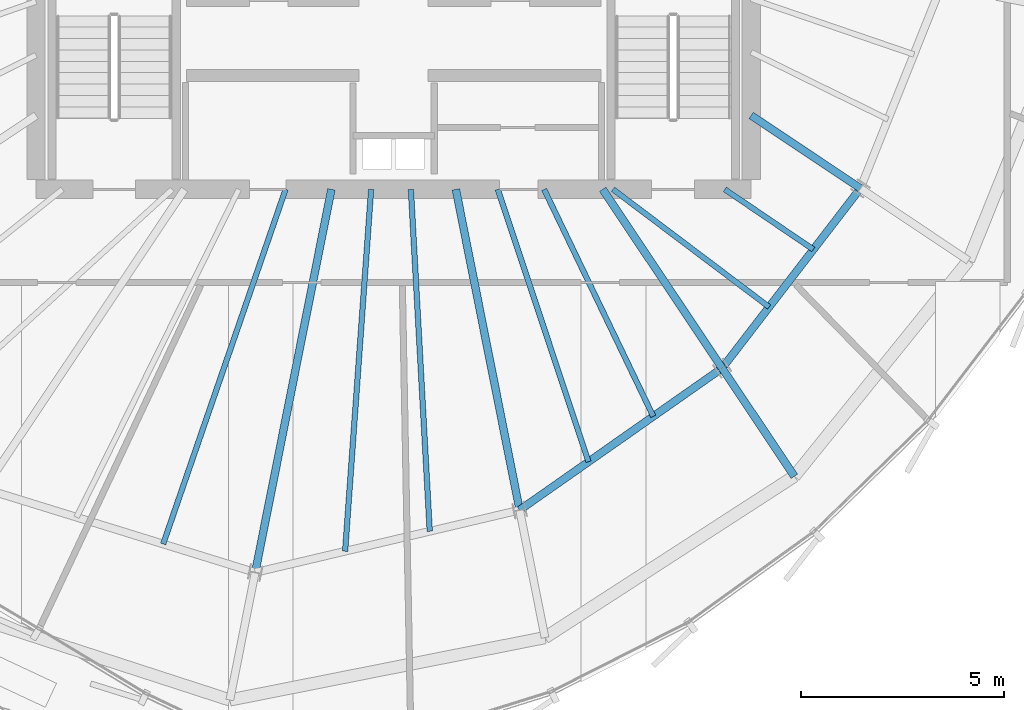
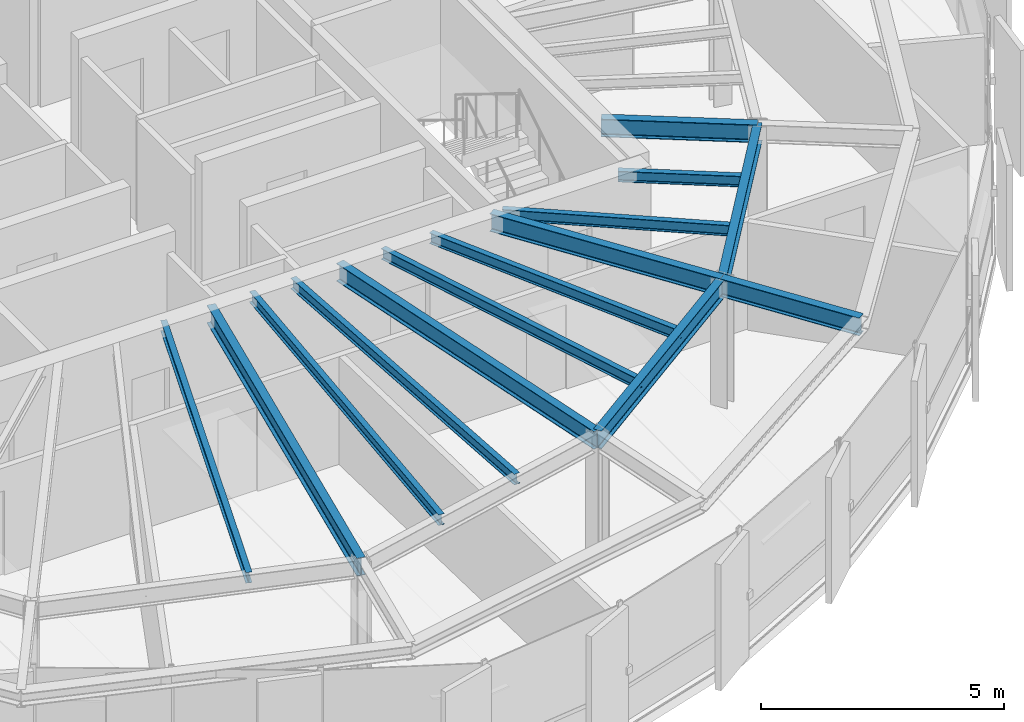
# One storey, part 8 of 34: 14 beams.
"""IFC4 building model written with IfcOpenShell, lengths in metres."""

from ifc_helpers import new_model, si_unit, direction, frame, origin, origin_2d, place, context, subcontext, project, spatial, i_section, extrude, source, transform, mapped, material, material_profile, profile_set, type_object, element, save


model = new_model("IFC4")

# Units and contexts
model_context = context("Model", 3, precision=1e-05, world=origin(), true_north=direction((0.0, 1.0)))
body_context = subcontext(model_context, "Body", "Model", "MODEL_VIEW")
ifc_project = project(units=[si_unit("LENGTHUNIT", "METRE"), si_unit("AREAUNIT", "SQUARE_METRE"), si_unit("VOLUMEUNIT", "CUBIC_METRE"), si_unit("PLANEANGLEUNIT", "RADIAN"), si_unit("MASSUNIT", "GRAM", prefix="KILO"), si_unit("THERMODYNAMICTEMPERATUREUNIT", "KELVIN")], contexts=[model_context])

# Site, building, storey
site_placement = place(None, origin())
site = spatial("IfcSite", under=ifc_project, at=site_placement, CompositionType="ELEMENT")
building_placement = place(site_placement, origin())
building = spatial("IfcBuilding", under=site, at=building_placement, Name="Kethvar Cultural Tower", CompositionType="ELEMENT")
storey_placement = place(building_placement, frame((0.0, 0.0, 262.89990234375)))
storey = spatial("IfcBuildingStorey", under=building, at=storey_placement, Name="L69", CompositionType="ELEMENT", Elevation=262.89990234375)

# Beams
ifc_material = material(Name="Steel S355J2", Category="steel")
ifc_material_profile_1 = material_profile(ifc_material, i_section(OverallWidth=0.18994140625, OverallDepth=0.449951171875, WebThickness=0.009521484375, FlangeThickness=0.0146484375, FilletRadius=0.02099609375, at=origin_2d()), Name="Steel S355J2 — IPE450")
ifc_profile_set_1 = profile_set([ifc_material_profile_1], Name="Steel S355J2 — IPE450")
beam_type_1 = type_object("IfcBeamType", Name="BM-IPE450", PredefinedType="BEAM", material=ifc_profile_set_1)
shared_shape_1 = source(origin(), body_context, "Body", "SweptSolid", [
    extrude(i_section(OverallWidth=0.18994140625, OverallDepth=0.449951171875, WebThickness=0.009521484375, FlangeThickness=0.0146484375, FilletRadius=0.02099609375, at=origin_2d()), origin(), (0.0, 0.0, 1.0), 3.199951171875),
])
beam_1_placement = place(storey_placement, frame((54.885009765625, 15.7001953125, 2.983154296875), z_axis=(0.555492222339, -0.83152173208, 0.0), x_axis=(0.83152173208, 0.555492222339, 0.0)))
element("IfcBeam", 1, at=beam_1_placement, inside=storey, type_object=beam_type_1, Name="L69 Perimeter Cantilever Beam RC-14", PredefinedType="BEAM", context=body_context, shape_type="MappedRepresentation", body=[
    mapped(shared_shape_1, transform((0.0, 0.0, 0.0), scale=1.0)),
])
shared_shape_2 = source(origin(), body_context, "Body", "SweptSolid", [
    extrude(i_section(OverallWidth=0.18994140625, OverallDepth=0.449951171875, WebThickness=0.009521484375, FlangeThickness=0.0146484375, FilletRadius=0.02099609375, at=origin_2d()), origin(), (0.0, 0.0, 1.0), 9.613525390625),
])
beam_2_placement = place(storey_placement, frame((45.268310546875, 20.10009765625, 2.983154296875), z_axis=(-0.195090428816, -0.980785259159, 0.0), x_axis=(0.980785259159, -0.195090428816, 0.0)))
element("IfcBeam", 2, at=beam_2_placement, inside=storey, type_object=beam_type_1, Name="L69 Primary Radial Beam RB-12", PredefinedType="BEAM", context=body_context, shape_type="MappedRepresentation", body=[
    mapped(shared_shape_2, transform((0.0, 0.0, 0.0), scale=1.0)),
])
shared_shape_3 = source(origin(), body_context, "Body", "SweptSolid", [
    extrude(i_section(OverallWidth=0.18994140625, OverallDepth=0.449951171875, WebThickness=0.009521484375, FlangeThickness=0.0146484375, FilletRadius=0.02099609375, at=origin_2d()), origin(), (0.0, 0.0, 1.0), 8.0478515625),
])
beam_3_placement = place(storey_placement, frame((48.33154296875, 20.10009765625, 2.983154296875), z_axis=(0.195089278796, -0.980785487912, 0.0), x_axis=(0.980785487912, 0.195089278796, 0.0)))
element("IfcBeam", 3, at=beam_3_placement, inside=storey, type_object=beam_type_1, Name="L69 Primary Radial Beam RB-13", PredefinedType="BEAM", context=body_context, shape_type="MappedRepresentation", body=[
    mapped(shared_shape_3, transform((0.0, 0.0, 0.0), scale=1.0)),
])
shared_shape_4 = source(origin(), body_context, "Body", "SweptSolid", [
    extrude(i_section(OverallWidth=0.18994140625, OverallDepth=0.449951171875, WebThickness=0.009521484375, FlangeThickness=0.0146484375, FilletRadius=0.02099609375, at=origin_2d()), origin(), (0.0, 0.0, 1.0), 5.291748046875),
])
beam_4_placement = place(storey_placement, frame((51.945068359375, 20.10009765625, 2.983154296875), z_axis=(0.555572931011, -0.831467809556, 0.0), x_axis=(0.831467809556, 0.555572931011, 0.0)))
element("IfcBeam", 4, at=beam_4_placement, inside=storey, type_object=beam_type_1, Name="L69 Primary Radial Beam RB-14", PredefinedType="BEAM", context=body_context, shape_type="MappedRepresentation", body=[
    mapped(shared_shape_4, transform((0.0, 0.0, 0.0), scale=1.0)),
])
shared_shape_5 = source(origin(), body_context, "Body", "SweptSolid", [
    extrude(i_section(OverallWidth=0.18994140625, OverallDepth=0.449951171875, WebThickness=0.009521484375, FlangeThickness=0.0146484375, FilletRadius=0.02099609375, at=origin_2d()), origin(), (0.0, 0.0, 1.0), 3.231689453125),
])
beam_5_placement = place(storey_placement, frame((55.60009765625, 21.919921875, 2.983154296875), z_axis=(0.831468708055, -0.55557158632, 0.0), x_axis=(0.55557158632, 0.831468708055, 0.0)))
element("IfcBeam", 5, at=beam_5_placement, inside=storey, type_object=beam_type_1, Name="L69 Primary Radial Beam RB-15", PredefinedType="BEAM", context=body_context, shape_type="MappedRepresentation", body=[
    mapped(shared_shape_5, transform((0.0, 0.0, 0.0), scale=1.0)),
])
ifc_material_profile_2 = material_profile(ifc_material, i_section(OverallWidth=0.135009765625, OverallDepth=0.27001953125, WebThickness=0.006591796875, FlangeThickness=0.01025390625, FilletRadius=0.014892578125, at=origin_2d()), Name="Steel S355J2 — IPE270")
ifc_profile_set_2 = profile_set([ifc_material_profile_2], Name="Steel S355J2 — IPE270")
beam_type_2 = type_object("IfcBeamType", Name="BM-J270", PredefinedType="JOIST", material=ifc_profile_set_2)
shared_shape_6 = source(origin(), body_context, "Body", "SweptSolid", [
    extrude(i_section(OverallWidth=0.135009765625, OverallDepth=0.27001953125, WebThickness=0.006591796875, FlangeThickness=0.01025390625, FilletRadius=0.014892578125, at=origin_2d()), origin(), (0.0, 0.0, 1.0), 9.234130859375),
])
beam_6_placement = place(storey_placement, frame((44.1416015625, 20.10009765625, 3.072998046875), z_axis=(-0.326362208058, -0.945244787953, 0.0), x_axis=(0.945244787953, -0.326362208058, 0.0)))
element("IfcBeam", 6, at=beam_6_placement, inside=storey, type_object=beam_type_2, Name="L69 Composite Floor Joist J-11B", PredefinedType="JOIST", context=body_context, shape_type="MappedRepresentation", body=[
    mapped(shared_shape_6, transform((0.0, 0.0, 0.0), scale=1.0)),
])
shared_shape_7 = source(origin(), body_context, "Body", "SweptSolid", [
    extrude(i_section(OverallWidth=0.135009765625, OverallDepth=0.27001953125, WebThickness=0.006591796875, FlangeThickness=0.01025390625, FilletRadius=0.014892578125, at=origin_2d()), origin(), (0.0, 0.0, 1.0), 8.9296875),
])
beam_7_placement = place(storey_placement, frame((46.246337890625, 20.10009765625, 3.072998046875), z_axis=(-0.071713352262, -0.99742528297, 0.0), x_axis=(0.99742528297, -0.071713352262, 0.0)))
element("IfcBeam", 7, at=beam_7_placement, inside=storey, type_object=beam_type_2, Name="L69 Composite Floor Joist J-12A", PredefinedType="JOIST", context=body_context, shape_type="MappedRepresentation", body=[
    mapped(shared_shape_7, transform((0.0, 0.0, 0.0), scale=1.0)),
])
shared_shape_8 = source(origin(), body_context, "Body", "SweptSolid", [
    extrude(i_section(OverallWidth=0.135009765625, OverallDepth=0.27001953125, WebThickness=0.006591796875, FlangeThickness=0.01025390625, FilletRadius=0.014892578125, at=origin_2d()), origin(), (0.0, 0.0, 1.0), 8.427978515625),
])
beam_8_placement = place(storey_placement, frame((47.224609375, 20.10009765625, 3.072998046875), z_axis=(0.055067321535, -0.998482643865, 0.0), x_axis=(0.998482643865, 0.055067321535, 0.0)))
element("IfcBeam", 8, at=beam_8_placement, inside=storey, type_object=beam_type_2, Name="L69 Composite Floor Joist J-12B", PredefinedType="JOIST", context=body_context, shape_type="MappedRepresentation", body=[
    mapped(shared_shape_8, transform((0.0, 0.0, 0.0), scale=1.0)),
])
shared_shape_9 = source(origin(), body_context, "Body", "SweptSolid", [
    extrude(i_section(OverallWidth=0.18994140625, OverallDepth=0.449951171875, WebThickness=0.009521484375, FlangeThickness=0.0146484375, FilletRadius=0.02099609375, at=origin_2d()), origin(), (0.0, 0.0, 1.0), 6.0859375),
])
beam_9_placement = place(storey_placement, frame((49.901611328125, 12.206787109375, 2.983154296875), z_axis=(0.818843498091, 0.57401683393, 0.0), x_axis=(-0.57401683393, 0.818843498091, 0.0)))
element("IfcBeam", 9, at=beam_9_placement, inside=storey, type_object=beam_type_1, Name="L69 Column Ring Tie Beam CR-13", PredefinedType="BEAM", context=body_context, shape_type="MappedRepresentation", body=[
    mapped(shared_shape_9, transform((0.0, 0.0, 0.0), scale=1.0)),
])
shared_shape_10 = source(origin(), body_context, "Body", "SweptSolid", [
    extrude(i_section(OverallWidth=0.135009765625, OverallDepth=0.27001953125, WebThickness=0.006591796875, FlangeThickness=0.01025390625, FilletRadius=0.014892578125, at=origin_2d()), origin(), (0.0, 0.0, 1.0), 7.0673828125),
])
beam_10_placement = place(storey_placement, frame((49.363525390625, 20.10009765625, 3.072998046875), z_axis=(0.315875389768, -0.948800684095, 0.0), x_axis=(0.948800684095, 0.315875389768, 0.0)))
element("IfcBeam", 10, at=beam_10_placement, inside=storey, type_object=beam_type_2, Name="L69 Composite Floor Joist J-13A", PredefinedType="JOIST", context=body_context, shape_type="MappedRepresentation", body=[
    mapped(shared_shape_10, transform((0.0, 0.0, 0.0), scale=1.0)),
])
shared_shape_11 = source(origin(), body_context, "Body", "SweptSolid", [
    extrude(i_section(OverallWidth=0.135009765625, OverallDepth=0.27001953125, WebThickness=0.006591796875, FlangeThickness=0.01025390625, FilletRadius=0.014892578125, at=origin_2d()), origin(), (0.0, 0.0, 1.0), 6.2001953125),
])
beam_11_placement = place(storey_placement, frame((50.50341796875, 20.10009765625, 3.072998046875), z_axis=(0.433410678328, -0.901196529017, 0.0), x_axis=(0.901196529017, 0.433410678328, 0.0)))
element("IfcBeam", 11, at=beam_11_placement, inside=storey, type_object=beam_type_2, Name="L69 Composite Floor Joist J-13B", PredefinedType="JOIST", context=body_context, shape_type="MappedRepresentation", body=[
    mapped(shared_shape_11, transform((0.0, 0.0, 0.0), scale=1.0)),
])
shared_shape_12 = source(origin(), body_context, "Body", "SweptSolid", [
    extrude(i_section(OverallWidth=0.18994140625, OverallDepth=0.449951171875, WebThickness=0.009521484375, FlangeThickness=0.0146484375, FilletRadius=0.02099609375, at=origin_2d()), origin(), (0.0, 0.0, 1.0), 5.5810546875),
])
beam_12_placement = place(storey_placement, frame((54.885009765625, 15.7001953125, 2.983154296875), z_axis=(0.60957334008, 0.79272967843, 0.0), x_axis=(-0.79272967843, 0.60957334008, 0.0)))
element("IfcBeam", 12, at=beam_12_placement, inside=storey, type_object=beam_type_1, Name="L69 Column Ring Tie Beam CR-14", PredefinedType="BEAM", context=body_context, shape_type="MappedRepresentation", body=[
    mapped(shared_shape_12, transform((0.0, 0.0, 0.0), scale=1.0)),
])
shared_shape_13 = source(origin(), body_context, "Body", "SweptSolid", [
    extrude(i_section(OverallWidth=0.135009765625, OverallDepth=0.27001953125, WebThickness=0.006591796875, FlangeThickness=0.01025390625, FilletRadius=0.014892578125, at=origin_2d()), origin(), (0.0, 0.0, 1.0), 4.810791015625),
])
beam_13_placement = place(storey_placement, frame((52.199951171875, 20.10009765625, 3.072998046875), z_axis=(0.798542152732, -0.601938892505, 0.0), x_axis=(0.601938892505, 0.798542152732, 0.0)))
element("IfcBeam", 13, at=beam_13_placement, inside=storey, type_object=beam_type_2, Name="L69 Composite Floor Joist J-14A", PredefinedType="JOIST", context=body_context, shape_type="MappedRepresentation", body=[
    mapped(shared_shape_13, transform((0.0, 0.0, 0.0), scale=1.0)),
])
shared_shape_14 = source(origin(), body_context, "Body", "SweptSolid", [
    extrude(i_section(OverallWidth=0.135009765625, OverallDepth=0.27001953125, WebThickness=0.006591796875, FlangeThickness=0.01025390625, FilletRadius=0.014892578125, at=origin_2d()), origin(), (0.0, 0.0, 1.0), 2.635009765625),
])
beam_14_placement = place(storey_placement, frame((54.949951171875, 20.10009765625, 3.072998046875), z_axis=(0.827446562598, -0.561544464887, 0.0), x_axis=(0.561544464887, 0.827446562598, 0.0)))
element("IfcBeam", 14, at=beam_14_placement, inside=storey, type_object=beam_type_2, Name="L69 Composite Floor Joist J-14B", PredefinedType="JOIST", context=body_context, shape_type="MappedRepresentation", body=[
    mapped(shared_shape_14, transform((0.0, 0.0, 0.0), scale=1.0)),
])

save(model, "model.ifc")
